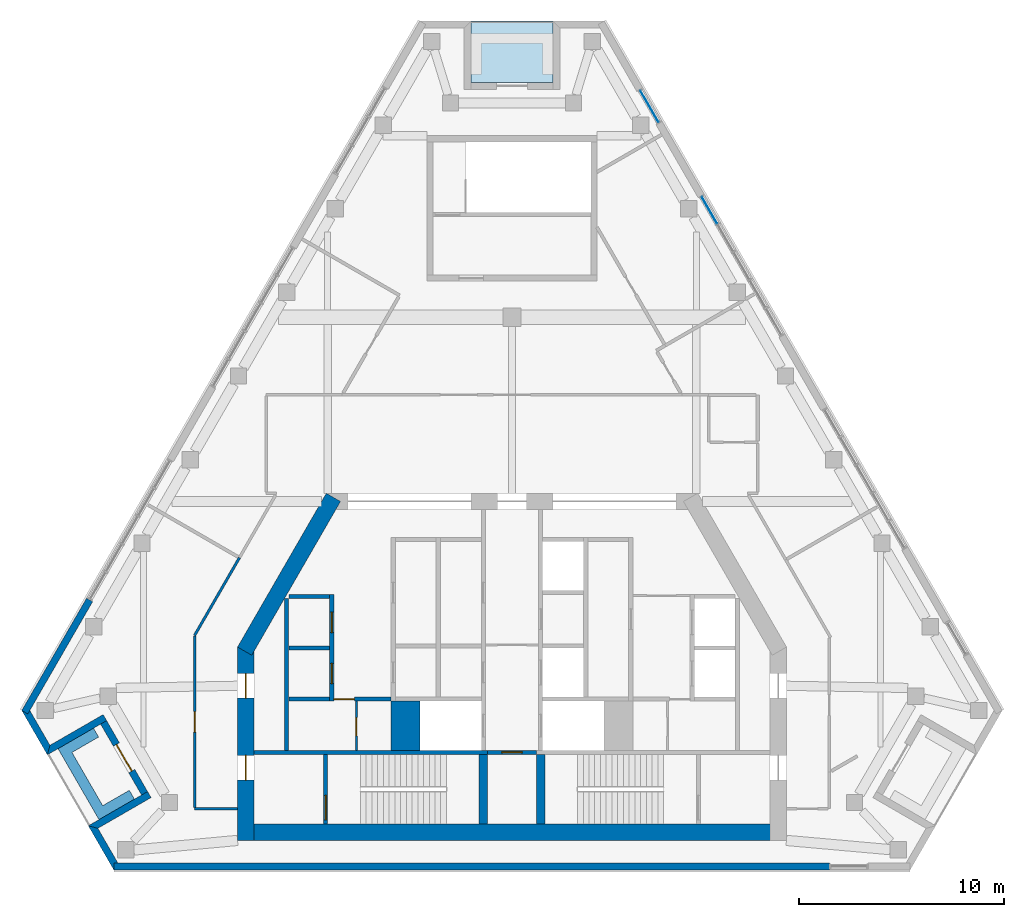
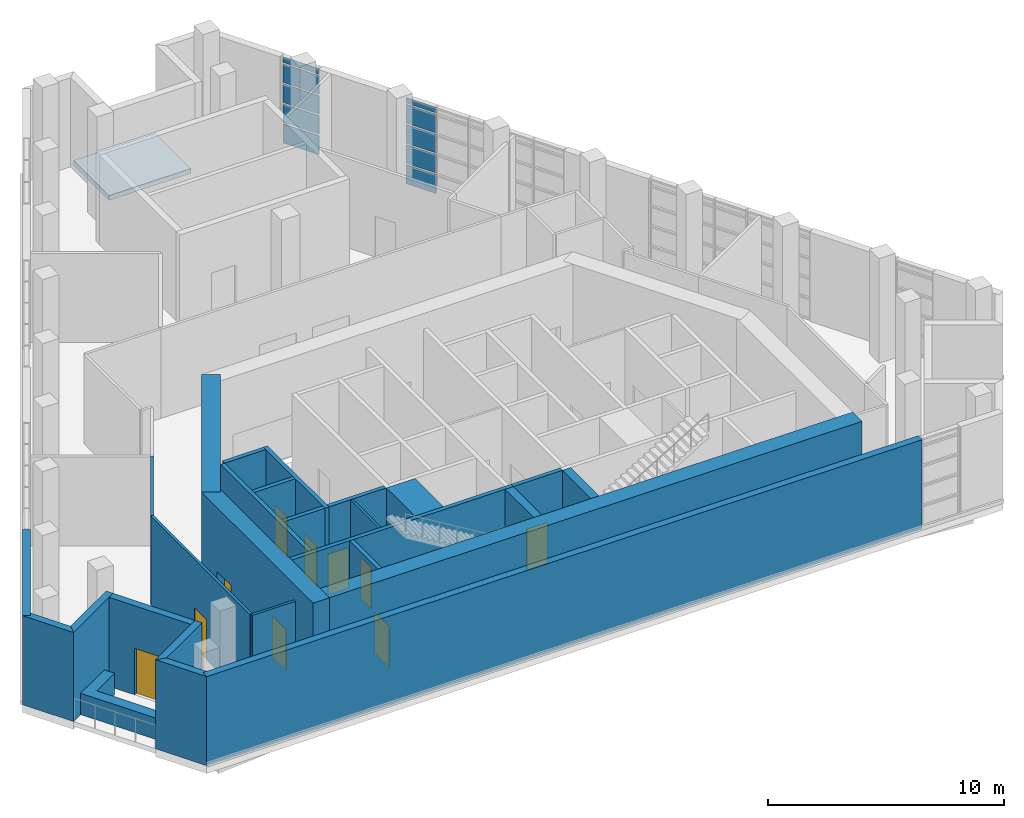
# One storey, part 9 of 13: 27 walls, 10 doors, 10 plates, 1 slab, 10 openings, 2 elements without a shape of their own.
"""IFC4 building model written with IfcOpenShell, lengths in metres."""

from ifc_helpers import new_model, si_unit, direction, frame, frame_2d, origin, origin_2d, place, context, subcontext, project, spatial, polyline, rectangle, outline, extrude, material, layer, layer_set, type_object, element, fill, aggregate, save


model = new_model("IFC4")

# Units and contexts
model_context = context("Model", 3, precision=1e-05, world=origin(), true_north=direction((0.0, 1.0)))
body_context = subcontext(model_context, "Body", "Model", "MODEL_VIEW")
ifc_project = project(units=[si_unit("LENGTHUNIT", "METRE"), si_unit("AREAUNIT", "SQUARE_METRE"), si_unit("VOLUMEUNIT", "CUBIC_METRE"), si_unit("PLANEANGLEUNIT", "RADIAN"), si_unit("MASSUNIT", "GRAM", prefix="KILO")], contexts=[model_context])

# Site, building, storey
site_placement = place(None, origin())
site = spatial("IfcSite", under=ifc_project, at=site_placement, CompositionType="ELEMENT")
building_placement = place(site_placement, origin())
building = spatial("IfcBuilding", under=site, at=building_placement, Name="Fogline Exchange Tower", CompositionType="ELEMENT")
storey_placement = place(building_placement, frame((0.0, 0.0, 339.300048828125)))
storey = spatial("IfcBuildingStorey", under=building, at=storey_placement, Name="L77", CompositionType="ELEMENT", Elevation=339.300048828125)

# Curtain wall, plates
ifc_material_1 = material(Name="Aluminium and glass", Category="aluminium")
curtain_wall_type = type_object("IfcCurtainWallType", Name="CW5", PredefinedType="NOTDEFINED", material=ifc_material_1)
curtain_wall_1_placement = place(storey_placement, origin())
curtain_wall_1 = element("IfcCurtainWall", 1, at=curtain_wall_1_placement, inside=storey, type_object=curtain_wall_type, Name="CW5 L77 E run 3", PredefinedType="NOTDEFINED")
ifc_material_2 = material(Name="Glass", Category="glass")
ifc_layer_1 = layer(ifc_material_2, 0.033935546875)
ifc_layer_set_1 = layer_set([ifc_layer_1], Name="CW5-P")
plate_type = type_object("IfcPlateType", Name="CW5-P", PredefinedType="CURTAIN_PANEL", material=ifc_layer_set_1)
plate_1_placement = place(storey_placement, frame((9.638916015625, 32.2158203125, 0.080078125), z_axis=(0.0, 0.0, 1.0), x_axis=(-0.500000016959, 0.866025393993, 0.0)))
plate_1 = element("IfcPlate", 2, at=plate_1_placement, type_object=plate_type, Name="CW5-T25-04 panel 5.1", PredefinedType="CURTAIN_PANEL", context=body_context, shape_type="SweptSolid", body=[
    extrude(rectangle(XDim=1.4794921875, YDim=0.033935546875, at=origin_2d()), origin(), (0.0, 0.0, 1.0), 0.97998046875),
])
plate_2_placement = place(storey_placement, frame((9.638916015625, 32.2158203125, 1.14013671875), z_axis=(0.0, 0.0, 1.0), x_axis=(-0.500000016959, 0.866025393993, 0.0)))
plate_2 = element("IfcPlate", 3, at=plate_2_placement, type_object=plate_type, Name="CW5-T25-04 panel 5.2", PredefinedType="CURTAIN_PANEL", context=body_context, shape_type="SweptSolid", body=[
    extrude(rectangle(XDim=1.4794921875, YDim=0.033935546875, at=origin_2d()), origin(), (0.0, 0.0, 1.0), 0.953369140625),
])
plate_3_placement = place(storey_placement, frame((9.638916015625, 32.2158203125, 2.17333984375), z_axis=(0.0, 0.0, 1.0), x_axis=(-0.500000016959, 0.866025393993, 0.0)))
plate_3 = element("IfcPlate", 4, at=plate_3_placement, type_object=plate_type, Name="CW5-T25-04 panel 5.3", PredefinedType="CURTAIN_PANEL", context=body_context, shape_type="SweptSolid", body=[
    extrude(rectangle(XDim=1.4794921875, YDim=0.033935546875, at=origin_2d()), origin(), (0.0, 0.0, 1.0), 0.953369140625),
])
plate_4_placement = place(storey_placement, frame((9.638916015625, 32.2158203125, 3.20654296875), z_axis=(0.0, 0.0, 1.0), x_axis=(-0.500000016959, 0.866025393993, 0.0)))
plate_4 = element("IfcPlate", 5, at=plate_4_placement, type_object=plate_type, Name="CW5-T25-04 panel 5.4", PredefinedType="CURTAIN_PANEL", context=body_context, shape_type="SweptSolid", body=[
    extrude(rectangle(XDim=1.4794921875, YDim=0.033935546875, at=origin_2d()), origin(), (0.0, 0.0, 1.0), 0.953369140625),
])
plate_5_placement = place(storey_placement, frame((9.638916015625, 32.2158203125, 4.23974609375), z_axis=(0.0, 0.0, 1.0), x_axis=(-0.500000016959, 0.866025393993, 0.0)))
plate_5 = element("IfcPlate", 6, at=plate_5_placement, type_object=plate_type, Name="CW5-T25-04 panel 5.5", PredefinedType="CURTAIN_PANEL", context=body_context, shape_type="SweptSolid", body=[
    extrude(rectangle(XDim=1.4794921875, YDim=0.033935546875, at=origin_2d()), origin(), (0.0, 0.0, 1.0), 0.280029296875),
])
aggregate(curtain_wall_1, [plate_1, plate_2, plate_3, plate_4, plate_5])

curtain_wall_2_placement = place(storey_placement, origin())
curtain_wall_2 = element("IfcCurtainWall", 7, at=curtain_wall_2_placement, inside=storey, type_object=curtain_wall_type, Name="CW5 L77 E run 4", PredefinedType="NOTDEFINED")
plate_6_placement = place(storey_placement, frame((6.707763671875, 37.292724609375, 0.080078125), z_axis=(0.0, 0.0, 1.0), x_axis=(-0.499999514416, 0.866025684137, 0.0)))
plate_6 = element("IfcPlate", 8, at=plate_6_placement, type_object=plate_type, Name="CW5-T25-05 panel 1.1", PredefinedType="CURTAIN_PANEL", context=body_context, shape_type="SweptSolid", body=[
    extrude(rectangle(XDim=1.7548828125, YDim=0.033935546875, at=origin_2d()), origin(), (0.0, 0.0, 1.0), 0.97998046875),
])
plate_7_placement = place(storey_placement, frame((6.707763671875, 37.292724609375, 1.14013671875), z_axis=(0.0, 0.0, 1.0), x_axis=(-0.499999514416, 0.866025684137, 0.0)))
plate_7 = element("IfcPlate", 9, at=plate_7_placement, type_object=plate_type, Name="CW5-T25-05 panel 1.2", PredefinedType="CURTAIN_PANEL", context=body_context, shape_type="SweptSolid", body=[
    extrude(rectangle(XDim=1.7548828125, YDim=0.033935546875, at=origin_2d()), origin(), (0.0, 0.0, 1.0), 0.953369140625),
])
plate_8_placement = place(storey_placement, frame((6.707763671875, 37.292724609375, 2.17333984375), z_axis=(0.0, 0.0, 1.0), x_axis=(-0.499999514416, 0.866025684137, 0.0)))
plate_8 = element("IfcPlate", 10, at=plate_8_placement, type_object=plate_type, Name="CW5-T25-05 panel 1.3", PredefinedType="CURTAIN_PANEL", context=body_context, shape_type="SweptSolid", body=[
    extrude(rectangle(XDim=1.7548828125, YDim=0.033935546875, at=origin_2d()), origin(), (0.0, 0.0, 1.0), 0.953369140625),
])
plate_9_placement = place(storey_placement, frame((6.707763671875, 37.292724609375, 3.20654296875), z_axis=(0.0, 0.0, 1.0), x_axis=(-0.499999514416, 0.866025684137, 0.0)))
plate_9 = element("IfcPlate", 11, at=plate_9_placement, type_object=plate_type, Name="CW5-T25-05 panel 1.4", PredefinedType="CURTAIN_PANEL", context=body_context, shape_type="SweptSolid", body=[
    extrude(rectangle(XDim=1.7548828125, YDim=0.033935546875, at=origin_2d()), origin(), (0.0, 0.0, 1.0), 0.953369140625),
])
plate_10_placement = place(storey_placement, frame((6.707763671875, 37.292724609375, 4.23974609375), z_axis=(0.0, 0.0, 1.0), x_axis=(-0.499999514416, 0.866025684137, 0.0)))
plate_10 = element("IfcPlate", 12, at=plate_10_placement, type_object=plate_type, Name="CW5-T25-05 panel 1.5", PredefinedType="CURTAIN_PANEL", context=body_context, shape_type="SweptSolid", body=[
    extrude(rectangle(XDim=1.7548828125, YDim=0.033935546875, at=origin_2d()), origin(), (0.0, 0.0, 1.0), 0.280029296875),
])
aggregate(curtain_wall_2, [plate_6, plate_7, plate_8, plate_9, plate_10])

# Slab
ifc_material_3 = material(Name="Concrete C40", Category="concrete")
ifc_layer_2 = layer(ifc_material_3, 0.25)
ifc_layer_set_2 = layer_set([ifc_layer_2], Name="DK1")
slab_type = type_object("IfcSlabType", Name="DK1", PredefinedType="FLOOR", material=ifc_layer_set_2)
slab_placement = place(storey_placement, frame((0.0, 0.0, -0.25)))
element("IfcSlab", 13, at=slab_placement, inside=storey, type_object=slab_type, Name="Balcony L77 N", PredefinedType="FLOOR", context=body_context, shape_type="SweptSolid", body=[
    extrude(outline(polyline([(2.0, 41.456787109375), (-2.0, 41.456787109375), (-2.0, 38.456787109375), (2.0, 38.456787109375), (2.0, 41.456787109375)])), origin(), (0.0, 0.0, 1.0), 0.25),
])

# Wall, opening, door
ifc_material_4 = material(Name="Blockwork partition", Category="masonry")
ifc_layer_3 = layer(ifc_material_4, 0.10009765625)
ifc_layer_set_3 = layer_set([ifc_layer_3], Name="CW10")
wall_type_1 = type_object("IfcWallType", Name="CW10", PredefinedType="PARTITIONING", material=ifc_layer_set_3)
wall_1_placement = place(storey_placement, frame((-7.60009765625, 5.85009765625, 0.0), z_axis=(0.0, 0.0, 1.0), x_axis=(0.0, 1.0, 0.0)))
wall_1 = element("IfcWall", 14, at=wall_1_placement, inside=storey, type_object=wall_type_1, Name="WC partition", PredefinedType="PARTITIONING", context=body_context, shape_type="SweptSolid", body=[
    extrude(rectangle(XDim=2.39990234375, YDim=0.10009765625, at=frame_2d((1.199951171875, 0.0))), origin(), (0.0, 0.0, 1.0), 4.599853515625),
])
opening_1_placement = place(wall_1_placement, frame((0.699951171875, 0.0, 0.0)))
opening_1 = element("IfcOpeningElement", 15, at=opening_1_placement, cuts=wall_1, Name="Opening T25-C011", PredefinedType="OPENING", context=body_context, shape_type="SweptSolid", body=[
    extrude(rectangle(XDim=0.89990234375, YDim=2.10009765625, at=frame_2d((0.449951171875, 1.050048828125))), frame((0.0, 0.06005859375, 0.0), z_axis=(0.0, -1.0, 0.0), x_axis=(1.0, 0.0, 0.0)), (0.0, 0.0, 1.0), 0.1201171875),
])
ifc_material_5 = material(Name="Steel and timber fire door", Category="steel")
door_type_1 = type_object("IfcDoorType", Name="D-CS1", OperationType="SINGLE_SWING_RIGHT", PredefinedType="DOOR", material=ifc_material_5)
door_1_placement = place(opening_1_placement, frame((0.89990234375, 0.0, 0.0), z_axis=(0.0, 0.0, 1.0), x_axis=(-1.0, 0.0, 0.0)))
door_1 = element("IfcDoor", 16, at=door_1_placement, inside=storey, type_object=door_type_1, Name="Door to Cleaner's Store", OperationType="SINGLE_SWING_RIGHT", OverallHeight=2.10009765625, OverallWidth=0.89990234375, PredefinedType="DOOR", context=body_context, shape_type="SweptSolid", body=[
    extrude(rectangle(XDim=0.89990234375, YDim=2.10009765625, at=frame_2d((0.449951171875, 1.050048828125))), frame((0.0, 0.02490234375, 0.0), z_axis=(0.0, -1.0, 0.0), x_axis=(1.0, 0.0, 0.0)), (0.0, 0.0, 1.0), 0.050048828125),
])
fill(opening_1, door_1)

# Walls
ifc_material_6 = material(Name="Concrete C60", Category="concrete")
ifc_layer_4 = layer(ifc_material_6, 1.39990234375)
ifc_layer_set_4 = layer_set([ifc_layer_4], Name="CW140")
wall_type_2 = type_object("IfcWallType", Name="CW140", PredefinedType="SOLIDWALL", material=ifc_layer_set_4)
wall_2_placement = place(storey_placement, frame((-5.199951171875, 5.85009765625, -0.400146484375), z_axis=(0.0, 0.0, 1.0), x_axis=(0.0, 1.0, 0.0)))
element("IfcWall", 17, at=wall_2_placement, inside=storey, type_object=wall_type_2, Name="Lift shaft block wall", PredefinedType="SOLIDWALL", context=body_context, shape_type="SweptSolid", body=[
    extrude(rectangle(XDim=2.39990234375, YDim=1.39990234375, at=frame_2d((1.199951171875, 0.0))), origin(), (0.0, 0.0, 1.0), 5.0),
])
ifc_layer_5 = layer(ifc_material_3, 0.199951171875)
ifc_layer_set_5 = layer_set([ifc_layer_5], Name="CW20")
wall_type_3 = type_object("IfcWallType", Name="CW20", PredefinedType="SOLIDWALL", material=ifc_layer_set_5)
wall_3_placement = place(storey_placement, frame((-11.0, 5.85009765625, 0.0), z_axis=(0.0, 0.0, 1.0), x_axis=(0.0, 1.0, 0.0)))
element("IfcWall", 18, at=wall_3_placement, inside=storey, type_object=wall_type_3, Name="Service room wall", PredefinedType="SOLIDWALL", context=body_context, shape_type="SweptSolid", body=[
    extrude(rectangle(XDim=7.39990234375, YDim=0.199951171875, at=frame_2d((3.699951171875, 0.0))), origin(), (0.0, 0.0, 1.0), 4.599853515625),
])
wall_4_placement = place(storey_placement, frame((-10.89990234375, 10.85009765625, 0.0), z_axis=(0.0, 0.0, 1.0), x_axis=(1.0, 0.0, 0.0)))
element("IfcWall", 19, at=wall_4_placement, inside=storey, type_object=wall_type_3, Name="Service room wall", PredefinedType="SOLIDWALL", context=body_context, shape_type="SweptSolid", body=[
    extrude(rectangle(XDim=2.0, YDim=0.199951171875, at=frame_2d((1.0, 0.0))), origin(), (0.0, 0.0, 1.0), 4.599853515625),
])

# Wall, opening, door
wall_5_placement = place(storey_placement, frame((-8.699951171875, 8.35009765625, 0.0), z_axis=(0.0, 0.0, 1.0), x_axis=(1.0, 0.0, 0.0)))
wall_5 = element("IfcWall", 20, at=wall_5_placement, inside=storey, type_object=wall_type_3, Name="WC wall", PredefinedType="SOLIDWALL", context=body_context, shape_type="SweptSolid", body=[
    extrude(rectangle(XDim=2.800048828125, YDim=0.199951171875, at=frame_2d((1.39990234375, 0.0))), origin(), (0.0, 0.0, 1.0), 4.599853515625),
])
opening_2_placement = place(wall_5_placement, origin())
opening_2 = element("IfcOpeningElement", 21, at=opening_2_placement, cuts=wall_5, Name="Opening T25-C010", PredefinedType="OPENING", context=body_context, shape_type="SweptSolid", body=[
    extrude(rectangle(XDim=1.0, YDim=2.10009765625, at=frame_2d((0.5, 1.050048828125))), frame((0.0, 0.10986328125, 0.0), z_axis=(0.0, -1.0, 0.0), x_axis=(1.0, 0.0, 0.0)), (0.0, 0.0, 1.0), 0.219970703125),
])
door_type_2 = type_object("IfcDoorType", Name="D-WC1", OperationType="SINGLE_SWING_LEFT", PredefinedType="DOOR", material=ifc_material_5)
door_2_placement = place(opening_2_placement, frame((1.0, 0.0, 0.0), z_axis=(0.0, 0.0, 1.0), x_axis=(-1.0, 0.0, 0.0)))
door_2 = element("IfcDoor", 22, at=door_2_placement, inside=storey, type_object=door_type_2, Name="Door to Men's WC", OperationType="SINGLE_SWING_LEFT", OverallHeight=2.10009765625, OverallWidth=1.0, PredefinedType="DOOR", context=body_context, shape_type="SweptSolid", body=[
    extrude(rectangle(XDim=1.0, YDim=2.10009765625, at=frame_2d((0.5, 1.050048828125))), frame((0.0, 0.02490234375, 0.0), z_axis=(0.0, -1.0, 0.0), x_axis=(1.0, 0.0, 0.0)), (0.0, 0.0, 1.0), 0.050048828125),
])
fill(opening_2, door_2)

# Wall
ifc_layer_6 = layer(ifc_material_3, 0.199951171875)
ifc_layer_set_6 = layer_set([ifc_layer_6], Name="CW20R")
wall_type_4 = type_object("IfcWallType", Name="CW20R", PredefinedType="SOLIDWALL", material=ifc_layer_set_6)
wall_6_placement = place(storey_placement, frame((-12.60009765625, 5.75, -0.400146484375), z_axis=(0.0, 0.0, 1.0), x_axis=(1.0, 0.0, 0.0)))
element("IfcWall", 23, at=wall_6_placement, inside=storey, type_object=wall_type_4, Name="Stair enclosure wall", PredefinedType="SOLIDWALL", context=body_context, shape_type="SweptSolid", body=[
    extrude(rectangle(XDim=11.400146484375, YDim=0.199951171875, at=frame_2d((5.7001953125, 0.0))), origin(), (0.0, 0.0, 1.0), 5.0),
])

# Wall, opening, door
wall_7_placement = place(storey_placement, frame((-1.199951171875, 5.75, -0.400146484375), z_axis=(0.0, 0.0, 1.0), x_axis=(1.0, 0.0, 0.0)))
wall_7 = element("IfcWall", 24, at=wall_7_placement, inside=storey, type_object=wall_type_4, Name="Stair enclosure wall", PredefinedType="SOLIDWALL", context=body_context, shape_type="SweptSolid", body=[
    extrude(rectangle(XDim=2.39990234375, YDim=0.199951171875, at=frame_2d((1.199951171875, 0.0))), origin(), (0.0, 0.0, 1.0), 5.0),
])
opening_3_placement = place(wall_7_placement, frame((0.699951171875, 0.0, 0.39990234375)))
opening_3 = element("IfcOpeningElement", 25, at=opening_3_placement, cuts=wall_7, Name="Opening T25-C009", PredefinedType="OPENING", context=body_context, shape_type="SweptSolid", body=[
    extrude(rectangle(XDim=1.0, YDim=2.10009765625, at=frame_2d((0.5, 1.050048828125))), frame((0.0, 0.10986328125, 0.0), z_axis=(0.0, -1.0, 0.0), x_axis=(1.0, 0.0, 0.0)), (0.0, 0.0, 1.0), 0.219970703125),
])
door_type_3 = type_object("IfcDoorType", Name="D-RM1", OperationType="SINGLE_SWING_LEFT", PredefinedType="DOOR", material=ifc_material_5)
door_3_placement = place(opening_3_placement, frame((1.0, 0.0, 0.0), z_axis=(0.0, 0.0, 1.0), x_axis=(-1.0, 0.0, 0.0)))
door_3 = element("IfcDoor", 26, at=door_3_placement, inside=storey, type_object=door_type_3, Name="Door to Records Store", OperationType="SINGLE_SWING_RIGHT", OverallHeight=2.10009765625, OverallWidth=1.0, PredefinedType="DOOR", context=body_context, shape_type="SweptSolid", body=[
    extrude(rectangle(XDim=1.0, YDim=2.10009765625, at=frame_2d((0.5, 1.050048828125))), frame((0.0, 0.02490234375, 0.0), z_axis=(0.0, -1.0, 0.0), x_axis=(1.0, 0.0, 0.0)), (0.0, 0.0, 1.0), 0.050048828125),
])
fill(opening_3, door_3)

wall_8_placement = place(storey_placement, frame((-9.10009765625, 2.25, -0.400146484375), z_axis=(0.0, 0.0, 1.0), x_axis=(0.0, 1.0, 0.0)))
wall_8 = element("IfcWall", 27, at=wall_8_placement, inside=storey, type_object=wall_type_4, Name="Stair enclosure wall", PredefinedType="SOLIDWALL", context=body_context, shape_type="SweptSolid", body=[
    extrude(rectangle(XDim=3.39990234375, YDim=0.199951171875, at=frame_2d((1.699951171875, 0.0))), origin(), (0.0, 0.0, 1.0), 5.0),
])
opening_4_placement = place(wall_8_placement, frame((0.199951171875, 0.0, 0.39990234375)))
opening_4 = element("IfcOpeningElement", 28, at=opening_4_placement, cuts=wall_8, Name="Opening T25-C013", PredefinedType="OPENING", context=body_context, shape_type="SweptSolid", body=[
    extrude(rectangle(XDim=1.199951171875, YDim=2.10009765625, at=frame_2d((0.60009765625, 1.050048828125))), frame((0.0, 0.10986328125, 0.0), z_axis=(0.0, -1.0, 0.0), x_axis=(1.0, 0.0, 0.0)), (0.0, 0.0, 1.0), 0.219970703125),
])
door_type_4 = type_object("IfcDoorType", Name="D-ST1", OperationType="SINGLE_SWING_LEFT", PredefinedType="DOOR", material=ifc_material_5)
door_4_placement = place(opening_4_placement, frame((1.199951171875, 0.0, 0.0), z_axis=(0.0, 0.0, 1.0), x_axis=(-1.0, 0.0, 0.0)))
door_4 = element("IfcDoor", 29, at=door_4_placement, inside=storey, type_object=door_type_4, Name="Stair door ST1", OperationType="SINGLE_SWING_RIGHT", OverallHeight=2.10009765625, OverallWidth=1.199951171875, PredefinedType="DOOR", context=body_context, shape_type="SweptSolid", body=[
    extrude(rectangle(XDim=1.199951171875, YDim=2.10009765625, at=frame_2d((0.60009765625, 1.050048828125))), frame((0.0, 0.02490234375, 0.0), z_axis=(0.0, -1.0, 0.0), x_axis=(1.0, 0.0, 0.0)), (0.0, 0.0, 1.0), 0.050048828125),
])
fill(opening_4, door_4)

# Wall, openings, doors
ifc_layer_7 = layer(ifc_material_3, 0.199951171875)
ifc_layer_set_7 = layer_set([ifc_layer_7], Name="CW20S")
wall_type_5 = type_object("IfcWallType", Name="CW20S", PredefinedType="SOLIDWALL", material=ifc_layer_set_7)
wall_9_placement = place(storey_placement, frame((-8.800048828125, 8.25, -0.400146484375), z_axis=(0.0, 0.0, 1.0), x_axis=(0.0, 1.0, 0.0)))
wall_9 = element("IfcWall", 30, at=wall_9_placement, inside=storey, type_object=wall_type_5, Name="Lift shaft wall", PredefinedType="SOLIDWALL", context=body_context, shape_type="SweptSolid", body=[
    extrude(rectangle(XDim=5.199951171875, YDim=0.199951171875, at=frame_2d((2.60009765625, 0.0))), origin(), (0.0, 0.0, 1.0), 5.0),
])
opening_5_placement = place(wall_9_placement, frame((0.85009765625, 0.0, 0.39990234375)))
opening_5 = element("IfcOpeningElement", 31, at=opening_5_placement, cuts=wall_9, Name="Opening T25-C001", PredefinedType="OPENING", context=body_context, shape_type="SweptSolid", body=[
    extrude(rectangle(XDim=1.0, YDim=2.10009765625, at=frame_2d((0.5, 1.050048828125))), frame((0.0, 0.10986328125, 0.0), z_axis=(0.0, -1.0, 0.0), x_axis=(1.0, 0.0, 0.0)), (0.0, 0.0, 1.0), 0.219970703125),
])
opening_6_placement = place(wall_9_placement, frame((3.35009765625, 0.0, 0.39990234375)))
opening_6 = element("IfcOpeningElement", 32, at=opening_6_placement, cuts=wall_9, Name="Opening T25-C002", PredefinedType="OPENING", context=body_context, shape_type="SweptSolid", body=[
    extrude(rectangle(XDim=1.0, YDim=2.10009765625, at=frame_2d((0.5, 1.050048828125))), frame((0.0, 0.10986328125, 0.0), z_axis=(0.0, -1.0, 0.0), x_axis=(1.0, 0.0, 0.0)), (0.0, 0.0, 1.0), 0.219970703125),
])
door_5_placement = place(opening_5_placement, origin())
door_5 = element("IfcDoor", 33, at=door_5_placement, inside=storey, type_object=door_type_3, Name="Door to Cable Store", OperationType="SINGLE_SWING_RIGHT", OverallHeight=2.10009765625, OverallWidth=1.0, PredefinedType="DOOR", context=body_context, shape_type="SweptSolid", body=[
    extrude(rectangle(XDim=1.0, YDim=2.10009765625, at=frame_2d((0.5, 1.050048828125))), frame((0.0, 0.02490234375, 0.0), z_axis=(0.0, -1.0, 0.0), x_axis=(1.0, 0.0, 0.0)), (0.0, 0.0, 1.0), 0.050048828125),
])
fill(opening_5, door_5)
door_6_placement = place(opening_6_placement, origin())
door_6 = element("IfcDoor", 34, at=door_6_placement, inside=storey, type_object=door_type_3, Name="Door to Server Room", OperationType="SINGLE_SWING_RIGHT", OverallHeight=2.10009765625, OverallWidth=1.0, PredefinedType="DOOR", context=body_context, shape_type="SweptSolid", body=[
    extrude(rectangle(XDim=1.0, YDim=2.10009765625, at=frame_2d((0.5, 1.050048828125))), frame((0.0, 0.02490234375, 0.0), z_axis=(0.0, -1.0, 0.0), x_axis=(1.0, 0.0, 0.0)), (0.0, 0.0, 1.0), 0.050048828125),
])
fill(opening_6, door_6)

# Walls
for number, where, z_axis, x_axis, name in (
    (35, (-10.89990234375, 8.35009765625, -0.400146484375), (0.0, 0.0, 1.0), (1.0, 0.0, 0.0), "Lift shaft wall"),
    (36, (-10.89990234375, 13.35009765625, -0.400146484375), (0.0, 0.0, 1.0), (1.0, 0.0, 0.0), "Lift shaft wall"),
):
    element("IfcWall", number, at=place(storey_placement, frame(where, z_axis=z_axis, x_axis=x_axis)), inside=storey, type_object=wall_type_5, Name=name, PredefinedType="SOLIDWALL", context=body_context, shape_type="SweptSolid", body=[
        extrude(rectangle(XDim=2.0, YDim=0.199951171875, at=frame_2d((1.0, 0.0))), origin(), (0.0, 0.0, 1.0), 5.0),
    ])
ifc_layer_8 = layer(ifc_material_3, 0.39990234375)
ifc_layer_set_8 = layer_set([ifc_layer_8], Name="CW40R")
wall_type_6 = type_object("IfcWallType", Name="CW40R", PredefinedType="SOLIDWALL", material=ifc_layer_set_8)
for number, where, z_axis, x_axis, name in (
    (37, (-1.39990234375, 2.25, -0.400146484375), (0.0, 0.0, 1.0), (0.0, 1.0, 0.0), "Stair and lift shaft wall"),
    (38, (1.39990234375, 2.25, -0.400146484375), (0.0, 0.0, 1.0), (0.0, 1.0, 0.0), "Stair and lift shaft wall"),
):
    element("IfcWall", number, at=place(storey_placement, frame(where, z_axis=z_axis, x_axis=x_axis)), inside=storey, type_object=wall_type_6, Name=name, PredefinedType="SOLIDWALL", context=body_context, shape_type="SweptSolid", body=[
        extrude(rectangle(XDim=3.39990234375, YDim=0.39990234375, at=frame_2d((1.699951171875, 0.0))), origin(), (0.0, 0.0, 1.0), 5.0),
    ])
ifc_material_7 = material(Name="Brick masonry", Category="masonry")
ifc_layer_9 = layer(ifc_material_7, 0.340087890625)
ifc_layer_set_9 = layer_set([ifc_layer_9], Name="FW1")
wall_type_7 = type_object("IfcWallType", Name="FW1", PredefinedType="SOLIDWALL", material=ifc_layer_set_9)
wall_10_placement = place(storey_placement, origin())
element("IfcWall", 39, at=wall_10_placement, inside=storey, type_object=wall_type_7, Name="Brick wall L77 SW-c1", PredefinedType="SOLIDWALL", context=body_context, shape_type="SweptSolid", body=[
    extrude(outline(polyline([(-22.68505859375, 5.6279296875), (-23.93603515625, 7.794921875), (-23.935546875, 7.79541015625), (-23.640869140625, 7.625), (-23.54248046875, 7.79541015625), (-22.559814453125, 6.09375), (-22.684814453125, 5.6279296875), (-22.68505859375, 5.6279296875)])), origin(), (0.0, 0.0, 1.0), 4.599853515625),
])
wall_11_placement = place(storey_placement, origin())
element("IfcWall", 40, at=wall_11_placement, inside=storey, type_object=wall_type_7, Name="Brick wall L77 SW-s1", PredefinedType="SOLIDWALL", context=body_context, shape_type="SweptSolid", body=[
    extrude(outline(polyline([(-19.962158203125, 7.594482421875), (-19.791748046875, 7.298828125), (-20.086669921875, 7.128662109375), (-22.685546875, 5.628173828125), (-22.685791015625, 5.62841796875), (-22.56103515625, 6.093994140625), (-19.962158203125, 7.594482421875)])), origin(), (0.0, 0.0, 1.0), 4.599853515625),
])

# Wall, opening, door
wall_12_placement = place(storey_placement, frame((-19.939697265625, 7.214111328125, 0.0), z_axis=(0.0, 0.0, 1.0), x_axis=(0.49999894854, -0.866026010844, 0.0)))
wall_12 = element("IfcWall", 41, at=wall_12_placement, inside=storey, type_object=wall_type_7, Name="Brick wall L77 SW-bk", PredefinedType="SOLIDWALL", context=body_context, shape_type="SweptSolid", body=[
    extrude(rectangle(XDim=4.0, YDim=0.340087890625, at=frame_2d((2.0, 0.0))), origin(), (0.0, 0.0, 1.0), 4.599853515625),
])
opening_7_placement = place(wall_12_placement, frame((1.25, 0.0, 0.0)))
opening_7 = element("IfcOpeningElement", 42, at=opening_7_placement, cuts=wall_12, Name="Opening T25-E021", PredefinedType="OPENING", context=body_context, shape_type="SweptSolid", body=[
    extrude(rectangle(XDim=1.5, YDim=2.39990234375, at=frame_2d((0.75, 1.199951171875))), frame((0.0, 0.18017578125, 0.0), z_axis=(0.0, -1.0, 0.0), x_axis=(1.0, 0.0, 0.0)), (0.0, 0.0, 1.0), 0.360107421875),
])
door_type_5 = type_object("IfcDoorType", Name="ED4", OperationType="SINGLE_SWING_LEFT", PredefinedType="DOOR", material=ifc_material_1)
door_7_placement = place(opening_7_placement, frame((1.5, 0.0, 0.0), z_axis=(0.0, 0.0, 1.0), x_axis=(-1.0, 0.0, 0.0)))
door_7 = element("IfcDoor", 43, at=door_7_placement, inside=storey, type_object=door_type_5, Name="Balcony door L77 SW", OperationType="DOUBLE_DOOR_SINGLE_SWING", OverallHeight=2.39990234375, OverallWidth=1.5, PredefinedType="DOOR", context=body_context, shape_type="SweptSolid", body=[
    extrude(rectangle(XDim=1.5, YDim=2.39990234375, at=frame_2d((0.75, 1.199951171875))), frame((0.0, 0.02490234375, 0.0), z_axis=(0.0, -1.0, 0.0), x_axis=(1.0, 0.0, 0.0)), (0.0, 0.0, 1.0), 0.050048828125),
])
fill(opening_7, door_7)

# Walls
wall_13_placement = place(storey_placement, origin())
element("IfcWall", 44, at=wall_13_placement, inside=storey, type_object=wall_type_7, Name="Brick wall L77 SW-s2", PredefinedType="SOLIDWALL", context=body_context, shape_type="SweptSolid", body=[
    extrude(outline(polyline([(-20.686279296875, 2.1650390625), (-18.087158203125, 3.66552734375), (-17.792236328125, 3.8359375), (-17.62158203125, 3.540283203125), (-20.220458984375, 2.0400390625), (-20.686279296875, 2.164794921875), (-20.686279296875, 2.1650390625)])), origin(), (0.0, 0.0, 1.0), 4.599853515625),
])
wall_14_placement = place(storey_placement, origin())
element("IfcWall", 45, at=wall_14_placement, inside=storey, type_object=wall_type_7, Name="Brick wall L77 SW-c2", PredefinedType="SOLIDWALL", context=body_context, shape_type="SweptSolid", body=[
    extrude(outline(polyline([(-19.237548828125, 0.33935546875), (-19.434326171875, 0.33935546875), (-19.434326171875, -0.0009765625), (-19.43505859375, -0.001220703125), (-20.68603515625, 2.165771484375), (-20.685791015625, 2.166015625), (-20.22021484375, 2.041015625), (-19.237548828125, 0.33935546875)])), origin(), (0.0, 0.0, 1.0), 4.599853515625),
])
wall_15_placement = place(storey_placement, frame((-19.43505859375, 0.169921875, 0.0), z_axis=(0.0, 0.0, 1.0), x_axis=(1.0, 0.0, 0.0)))
element("IfcWall", 46, at=wall_15_placement, inside=storey, type_object=wall_type_7, Name="Brick wall L77 S bay 1", PredefinedType="SOLIDWALL", context=body_context, shape_type="SweptSolid", body=[
    extrude(rectangle(XDim=34.93505859375, YDim=0.340087890625, at=frame_2d((17.467529296875, 0.0))), origin(), (0.0, 0.0, 1.0), 4.599853515625),
])
wall_16_placement = place(storey_placement, frame((-20.62158203125, 13.193359375, 0.0), z_axis=(0.0, 0.0, 1.0), x_axis=(-0.499999447814, -0.866025722589, 0.0)))
element("IfcWall", 47, at=wall_16_placement, inside=storey, type_object=wall_type_7, Name="Brick wall L77 W bay 4", PredefinedType="SOLIDWALL", context=body_context, shape_type="SweptSolid", body=[
    extrude(rectangle(XDim=6.33251953125, YDim=0.340087890625, at=frame_2d((3.166259765625, 0.0))), origin(), (0.0, 0.0, 1.0), 4.599853515625),
])
ifc_material_8 = material(Name="Concrete C30", Category="concrete")
ifc_layer_10 = layer(ifc_material_8, 0.199951171875)
ifc_layer_set_10 = layer_set([ifc_layer_10], Name="PL1")
wall_type_8 = type_object("IfcWallType", Name="PL1", PredefinedType="USERDEFINED", material=ifc_layer_set_10)
wall_17_placement = place(storey_placement, origin())
element("IfcWall", 48, at=wall_17_placement, inside=storey, type_object=wall_type_8, Name="PLANTER balcony L77 SW", ObjectType="PLANTER", PredefinedType="USERDEFINED", context=body_context, shape_type="SweptSolid", body=[
    extrude(outline(polyline([(-18.683349609375, 3.898193359375), (-19.982421875, 3.148193359375), (-21.482421875, 5.74609375), (-20.183349609375, 6.49609375), (-20.433349609375, 6.92919921875), (-22.165283203125, 5.92919921875), (-20.165283203125, 2.465087890625), (-19.732421875, 2.715087890625), (-19.732421875, 2.715087890625), (-18.433349609375, 3.465087890625), (-18.683349609375, 3.898193359375)])), origin(), (0.0, 0.0, 1.0), 1.099853515625),
])
ifc_material_9 = material(Name="Plasterboard corridor partition with mineral wool, 2 layers each side")
ifc_layer_11 = layer(ifc_material_9, 0.125)
ifc_layer_set_11 = layer_set([ifc_layer_11], Name="PW2")
wall_type_9 = type_object("IfcWallType", Name="PW2", PredefinedType="PARTITIONING", material=ifc_layer_set_11)
wall_18_placement = place(storey_placement, frame((-13.39990234375, 3.0, 0.0), z_axis=(0.0, 0.0, 1.0), x_axis=(-1.0, 0.0, 0.0)))
element("IfcWall", 49, at=wall_18_placement, inside=storey, type_object=wall_type_9, Name="wall-L77-W016", PredefinedType="PARTITIONING", context=body_context, shape_type="SweptSolid", body=[
    extrude(rectangle(XDim=2.10009765625, YDim=0.125, at=frame_2d((1.050048828125, 0.0))), origin(), (0.0, 0.0, 1.0), 4.599853515625),
])

# Wall, opening, door
wall_19_placement = place(storey_placement, frame((-15.5, 3.0625, 0.0), z_axis=(0.0, 0.0, 1.0), x_axis=(0.0, 1.0, 0.0)))
wall_19 = element("IfcWall", 50, at=wall_19_placement, inside=storey, type_object=wall_type_9, Name="wall-L77-W017", PredefinedType="PARTITIONING", context=body_context, shape_type="SweptSolid", body=[
    extrude(rectangle(XDim=8.361083984375, YDim=0.125, at=frame_2d((4.1806640625, 0.0))), origin(), (0.0, 0.0, 1.0), 4.599853515625),
])
opening_8_placement = place(wall_19_placement, frame((3.680419921875, 0.0, 0.0)))
opening_8 = element("IfcOpeningElement", 51, at=opening_8_placement, cuts=wall_19, Name="Opening T25-D006", PredefinedType="OPENING", context=body_context, shape_type="SweptSolid", body=[
    extrude(rectangle(XDim=1.0, YDim=2.10009765625, at=frame_2d((0.5, 1.050048828125))), frame((0.0, 0.072509765625, 0.0), z_axis=(0.0, -1.0, 0.0), x_axis=(1.0, 0.0, 0.0)), (0.0, 0.0, 1.0), 0.14501953125),
])
ifc_material_10 = material(Name="Fire-rated timber door leaf with steel frame", Category="steel")
door_type_6 = type_object("IfcDoorType", Name="D3", OperationType="SINGLE_SWING_LEFT", PredefinedType="DOOR", material=ifc_material_10)
door_8_placement = place(opening_8_placement, origin())
door_8 = element("IfcDoor", 52, at=door_8_placement, inside=storey, type_object=door_type_6, Name="door-L77-D006", OperationType="SINGLE_SWING_LEFT", OverallHeight=2.10009765625, OverallWidth=1.0, PredefinedType="DOOR", context=body_context, shape_type="SweptSolid", body=[
    extrude(rectangle(XDim=1.0, YDim=2.10009765625, at=frame_2d((0.5, 1.050048828125))), frame((0.0, 0.02490234375, 0.0), z_axis=(0.0, -1.0, 0.0), x_axis=(1.0, 0.0, 0.0)), (0.0, 0.0, 1.0), 0.050048828125),
])
fill(opening_8, door_8)

# Walls
wall_20_placement = place(storey_placement, frame((-15.5, 11.45458984375, 0.0), z_axis=(0.0, 0.0, 1.0), x_axis=(0.500005024956, 0.866022502605, 0.0)))
element("IfcWall", 53, at=wall_20_placement, inside=storey, type_object=wall_type_9, Name="wall-L77-W018", PredefinedType="PARTITIONING", context=body_context, shape_type="SweptSolid", body=[
    extrude(rectangle(XDim=4.3876953125, YDim=0.125, at=frame_2d((2.19384765625, 0.0))), origin(), (0.0, 0.0, 1.0), 4.599853515625),
])
ifc_material_11 = material(Name="Concrete C50", Category="concrete")
ifc_layer_12 = layer(ifc_material_11, 0.800048828125)
ifc_layer_set_12 = layer_set([ifc_layer_12], Name="SW04")
wall_type_10 = type_object("IfcWallType", Name="SW04", PredefinedType="SHEAR", material=ifc_layer_set_12)
wall_21_placement = place(storey_placement, frame((-13.39990234375, 1.85009765625, 0.0), z_axis=(0.0, 0.0, 1.0), x_axis=(1.0, 0.0, 0.0)))
element("IfcWall", 54, at=wall_21_placement, inside=storey, type_object=wall_type_10, Name="L77-W901", PredefinedType="SHEAR", context=body_context, shape_type="SweptSolid", body=[
    extrude(rectangle(XDim=26.7998046875, YDim=0.800048828125, at=frame_2d((13.39990234375, 0.0))), origin(), (0.0, 0.0, 1.0), 5.39990234375),
])
wall_22_placement = place(storey_placement, frame((-8.71875, 18.199951171875, 0.0), z_axis=(0.0, 0.0, 1.0), x_axis=(-0.500015780397, -0.866016292776, 0.0)))
element("IfcWall", 55, at=wall_22_placement, inside=storey, type_object=wall_type_10, Name="L77-W905", PredefinedType="SHEAR", context=body_context, shape_type="SweptSolid", body=[
    extrude(rectangle(XDim=8.669677734375, YDim=0.800048828125, at=frame_2d((4.3349609375, 0.0))), origin(), (0.0, 0.0, 1.0), 5.39990234375),
])

# Wall, openings, doors
wall_23_placement = place(storey_placement, frame((-13.0, 10.891845703125, 0.0), z_axis=(0.0, 0.0, 1.0), x_axis=(0.0, -1.0, 0.0)))
wall_23 = element("IfcWall", 56, at=wall_23_placement, inside=storey, type_object=wall_type_10, Name="L77-W906", PredefinedType="SHEAR", context=body_context, shape_type="SweptSolid", body=[
    extrude(rectangle(XDim=9.44189453125, YDim=0.800048828125, at=frame_2d((4.720947265625, 0.0))), origin(), (0.0, 0.0, 1.0), 5.39990234375),
])
opening_9_placement = place(wall_23_placement, frame((5.291748046875, 0.0, 0.0)))
opening_9 = element("IfcOpeningElement", 57, at=opening_9_placement, cuts=wall_23, Name="Opening T25-C012", PredefinedType="OPENING", context=body_context, shape_type="SweptSolid", body=[
    extrude(rectangle(XDim=1.199951171875, YDim=2.10009765625, at=frame_2d((0.60009765625, 1.050048828125))), frame((0.0, 0.41015625, 0.0), z_axis=(0.0, -1.0, 0.0), x_axis=(1.0, 0.0, 0.0)), (0.0, 0.0, 1.0), 0.820068359375),
])
opening_10_placement = place(wall_23_placement, frame((1.291748046875, 0.0, 0.0)))
opening_10 = element("IfcOpeningElement", 58, at=opening_10_placement, cuts=wall_23, Name="Opening T25-C014", PredefinedType="OPENING", context=body_context, shape_type="SweptSolid", body=[
    extrude(rectangle(XDim=1.199951171875, YDim=2.10009765625, at=frame_2d((0.60009765625, 1.050048828125))), frame((0.0, 0.41015625, 0.0), z_axis=(0.0, -1.0, 0.0), x_axis=(1.0, 0.0, 0.0)), (0.0, 0.0, 1.0), 0.820068359375),
])
door_type_7 = type_object("IfcDoorType", Name="D-FR1", OperationType="SINGLE_SWING_RIGHT", PredefinedType="DOOR", material=ifc_material_5)
door_9_placement = place(opening_9_placement, origin())
door_9 = element("IfcDoor", 59, at=door_9_placement, inside=storey, type_object=door_type_7, Name="Front room door ST1", OperationType="SINGLE_SWING_LEFT", OverallHeight=2.10009765625, OverallWidth=1.199951171875, PredefinedType="DOOR", context=body_context, shape_type="SweptSolid", body=[
    extrude(rectangle(XDim=1.199951171875, YDim=2.10009765625, at=frame_2d((0.60009765625, 1.050048828125))), frame((0.0, 0.02490234375, 0.0), z_axis=(0.0, -1.0, 0.0), x_axis=(1.0, 0.0, 0.0)), (0.0, 0.0, 1.0), 0.050048828125),
])
fill(opening_9, door_9)
door_type_8 = type_object("IfcDoorType", Name="D-SV1", OperationType="SINGLE_SWING_LEFT", PredefinedType="DOOR", material=ifc_material_5)
door_10_placement = place(opening_10_placement, origin())
door_10 = element("IfcDoor", 60, at=door_10_placement, inside=storey, type_object=door_type_8, Name="Service door W", OperationType="SINGLE_SWING_LEFT", OverallHeight=2.10009765625, OverallWidth=1.199951171875, PredefinedType="DOOR", context=body_context, shape_type="SweptSolid", body=[
    extrude(rectangle(XDim=1.199951171875, YDim=2.10009765625, at=frame_2d((0.60009765625, 1.050048828125))), frame((0.0, 0.02490234375, 0.0), z_axis=(0.0, -1.0, 0.0), x_axis=(1.0, 0.0, 0.0)), (0.0, 0.0, 1.0), 0.050048828125),
])
fill(opening_10, door_10)

save(model, "model.ifc")
